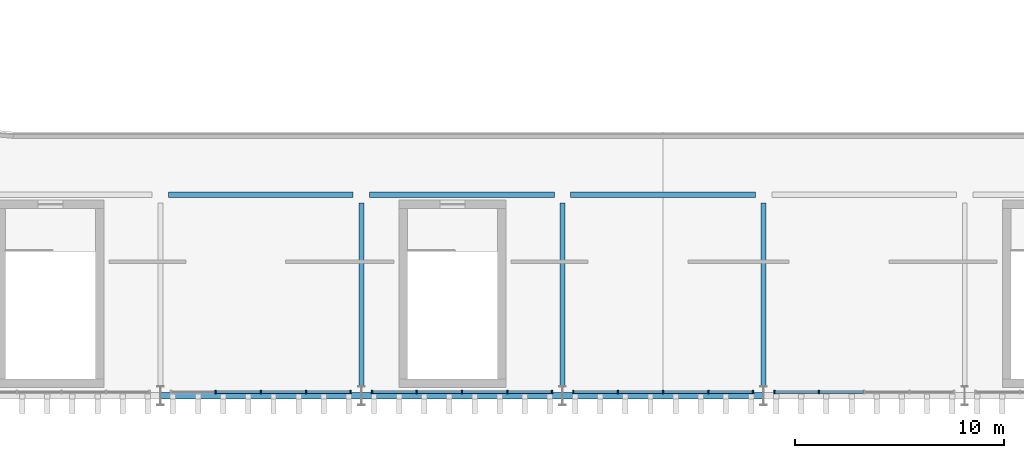
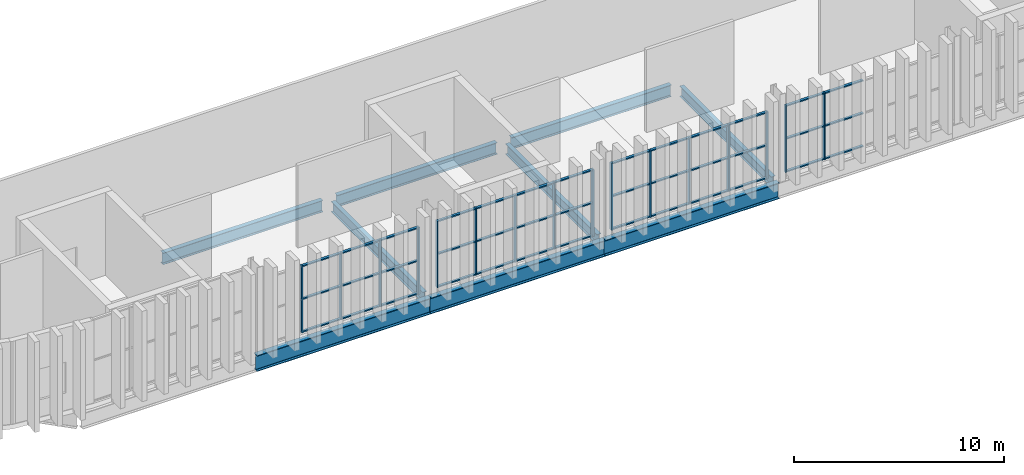
# One storey, part 11 of 45: 55 members, 9 beams, 4 elements without a shape of their own.
"""IFC4 building model written with IfcOpenShell, lengths in metres."""

import ifcopenshell
import ifcopenshell.guid

model = None  # the IFC model being written
_history = None  # IfcOwnerHistory: only IFC2X3 demands one
_inside = {}  # id of a spatial element -> (the spatial element, [elements in it])
_under = {}  # id of a project, library or spatial element -> (it, [spatial elements below it])
_declared = {}  # id of a project -> (the project, [libraries it declares])
_typed = {}  # id of a type object -> (the type object, [elements of that type])
_made_of = {}  # id of a material, layer set ... -> (it, [elements and type objects made of it])


def new_model(schema):
    """Start an empty IFC model of exactly this schema.

    Asked for "IFC4X3", IfcOpenShell would pick the latest addendum, in which some entities
    have other attributes; the version numbers below select the first issue.
    IFC2X3 requires an IfcOwnerHistory on every rooted entity: one is made here for all.
    """
    global model, _history
    if schema == "IFC4X3":
        model = ifcopenshell.file(schema_version=(4, 3, 0, 0))
    else:
        model = ifcopenshell.file(schema=schema)
    _inside.clear()
    _under.clear()
    _declared.clear()
    _typed.clear()
    _made_of.clear()
    _history = None
    if model.schema == "IFC2X3":
        org = make("IfcOrganization", Name="unknown")
        user = make(
            "IfcPersonAndOrganization",
            ThePerson=make("IfcPerson", FamilyName="unknown"),
            TheOrganization=org,
        )
        app = make(
            "IfcApplication",
            ApplicationDeveloper=org,
            Version="unknown",
            ApplicationFullName="unknown",
            ApplicationIdentifier="unknown",
        )
        _history = make(
            "IfcOwnerHistory",
            OwningUser=user,
            OwningApplication=app,
            ChangeAction="ADDED",
            CreationDate=0,
        )
    return model


def make(cls, **values):
    """One entity of the class cls with the attributes given. An attribute that is None is left unset."""
    return model.create_entity(
        cls, **{name: value for name, value in values.items() if value is not None}
    )


def rooted(cls, **values):
    """An entity with a GlobalId (a new one), such as an element, a storey or a relation."""
    return make(cls, GlobalId=ifcopenshell.guid.new(), OwnerHistory=_history, **values)


def si_unit(unit_type, name, prefix=None):
    """IfcSIUnit, for example si_unit("LENGTHUNIT", "METRE", prefix="MILLI")."""
    return make("IfcSIUnit", UnitType=unit_type, Prefix=prefix, Name=name)


def assignment(units):
    """IfcUnitAssignment: the units of a project."""
    return None if units is None else make("IfcUnitAssignment", Units=units)


def point(xyz):
    """IfcCartesianPoint."""
    return None if xyz is None else make("IfcCartesianPoint", Coordinates=xyz)


def direction(xyz):
    """IfcDirection."""
    return None if xyz is None else make("IfcDirection", DirectionRatios=xyz)


def frame(location, z_axis=None, x_axis=None):
    """IfcAxis2Placement3D, a coordinate frame: its origin and axes. An axis left out is left unset."""
    return make(
        "IfcAxis2Placement3D",
        Location=point(location),
        Axis=direction(z_axis),
        RefDirection=direction(x_axis),
    )


def frame_2d(location, x_axis=None):
    """IfcAxis2Placement2D, a coordinate frame in the plane: its origin and x axis."""
    return make(
        "IfcAxis2Placement2D", Location=point(location), RefDirection=direction(x_axis)
    )


def origin():
    """The frame at (0, 0, 0) with its axes left unset."""
    return frame((0.0, 0.0, 0.0))


def origin_2d():
    """The frame at (0, 0) in the plane with its x axis left unset."""
    return frame_2d((0.0, 0.0))


def place(relative_to, where):
    """IfcLocalPlacement: puts the frame where relative to a parent placement (None: the world)."""
    return make(
        "IfcLocalPlacement", PlacementRelTo=relative_to, RelativePlacement=where
    )


def context(
    kind, dimensions, precision=None, world=None, true_north=None, identifier=None
):
    """IfcGeometricRepresentationContext, for example the 3D "Model" context."""
    return make(
        "IfcGeometricRepresentationContext",
        ContextIdentifier=identifier,
        ContextType=kind,
        CoordinateSpaceDimension=dimensions,
        Precision=precision,
        WorldCoordinateSystem=world,
        TrueNorth=true_north,
    )


def subcontext(parent, identifier, kind, view, scale=None):
    """IfcGeometricRepresentationSubContext, for example "Body" below "Model"."""
    return make(
        "IfcGeometricRepresentationSubContext",
        ContextIdentifier=identifier,
        ContextType=kind,
        ParentContext=parent,
        TargetScale=scale,
        TargetView=view,
    )


def project(units=None, contexts=None):
    """IfcProject with its units and contexts."""
    return rooted(
        "IfcProject",
        Name="project",
        RepresentationContexts=contexts,
        UnitsInContext=assignment(units),
    )


def spatial(cls, under=None, at=None, **own):
    """A site, building, storey or space (cls), placed at a placement, below another one or the project."""
    s = rooted(cls, ObjectPlacement=at, **own)
    if under is not None:
        _under.setdefault(under.id(), (under, []))[1].append(s)
    return s


def profile(cls, at=None, kind="AREA", **sizes):
    """A parametric profile (cls). Its sizes go by their IFC names, for example OverallWidth=200.0."""
    return make(cls, ProfileType=kind, Position=at, **sizes)


def rectangle(**sizes):
    """IfcRectangleProfileDef."""
    return profile("IfcRectangleProfileDef", **sizes)


def i_section(**sizes):
    """IfcIShapeProfileDef."""
    return profile("IfcIShapeProfileDef", **sizes)


def extrude(swept, where, along, depth):
    """IfcExtrudedAreaSolid: the profile swept, set in the frame where, extruded along a direction by depth."""
    return make(
        "IfcExtrudedAreaSolid",
        SweptArea=swept,
        Position=where,
        ExtrudedDirection=direction(along),
        Depth=depth,
    )


def shape(context_of_items, identifier, shape_type, items):
    """IfcShapeRepresentation: the items that make up one representation, for example the "Body"."""
    return make(
        "IfcShapeRepresentation",
        ContextOfItems=context_of_items,
        RepresentationIdentifier=identifier,
        RepresentationType=shape_type,
        Items=items,
    )


def material(Name=None, Category=None):
    """IfcMaterial."""
    return make("IfcMaterial", Name=Name, Category=Category)


def layer(
    of_material, thickness, ventilated=None, Name=None, Category=None, Priority=None
):
    """IfcMaterialLayer: one layer of a wall or slab, of a material (None: an air gap)."""
    return make(
        "IfcMaterialLayer",
        Material=of_material,
        LayerThickness=thickness,
        IsVentilated=ventilated,
        Name=Name,
        Category=Category,
        Priority=Priority,
    )


def layer_set(layers, Name=None):
    """IfcMaterialLayerSet."""
    return make("IfcMaterialLayerSet", MaterialLayers=layers, LayerSetName=Name)


def material_profile(
    of_material, cross_section, Name=None, Category=None, Priority=None
):
    """IfcMaterialProfile: a cross section and its material."""
    return make(
        "IfcMaterialProfile",
        Name=Name,
        Material=of_material,
        Profile=cross_section,
        Priority=Priority,
        Category=Category,
    )


def profile_set(profiles, Name=None, composite=None):
    """IfcMaterialProfileSet."""
    return make(
        "IfcMaterialProfileSet",
        Name=Name,
        MaterialProfiles=profiles,
        CompositeProfile=composite,
    )


def made_of(thing, what):
    """Note that an element or type object is made of a material, layer set ...; save() writes the relation."""
    if what is not None:
        _made_of.setdefault(what.id(), (what, []))[1].append(thing)
    return thing


def type_object(cls, material=None, **own):
    """A type object (cls), such as IfcWallType, which elements share."""
    return made_of(rooted(cls, **own), material)


def element(
    cls,
    number,
    at=None,
    inside=None,
    cuts=None,
    type_object=None,
    material=None,
    context=None,
    identifier="Body",
    shape_type=None,
    held_by="IfcProductDefinitionShape",
    body=None,
    shapes=None,
    **own,
):
    """One element of the class cls, such as IfcWall. Its Tag is "e" and its number.

    at: its placement. inside: the storey or other place that contains it. cuts: it is an
    opening in that element (IfcRelVoidsElement). A single representation is given by context,
    identifier, shape_type and body (its items); several are given by shapes. held_by: the class
    of the entity that holds the representations. save() writes the other relations.
    """
    e = rooted(cls, Tag="e%d" % number, ObjectPlacement=at, **own)
    if body is not None:
        shapes = [shape(context, identifier, shape_type, body)]
    if shapes is not None:
        e.Representation = make(held_by, Representations=shapes)
    if inside is not None:
        _inside.setdefault(inside.id(), (inside, []))[1].append(e)
    if cuts is not None:
        rooted(
            "IfcRelVoidsElement", RelatingBuildingElement=cuts, RelatedOpeningElement=e
        )
    if type_object is not None:
        _typed.setdefault(type_object.id(), (type_object, []))[1].append(e)
    return made_of(e, material)


def aggregate(whole, parts):
    """IfcRelAggregates: a whole, such as a stair, and the parts it consists of."""
    return rooted("IfcRelAggregates", RelatingObject=whole, RelatedObjects=parts)


def save(model, path):
    """Write the relations noted so far, then the file.

    IfcRelAggregates (storeys below a building ...), IfcRelContainedInSpatialStructure (elements
    in a storey), IfcRelDefinesByType, IfcRelAssociatesMaterial and IfcRelDeclares: one each for
    every whole, place, type object, material and project.
    """
    for whole, parts in _under.values():
        aggregate(whole, parts)
    for where, things in _inside.values():
        rooted(
            "IfcRelContainedInSpatialStructure",
            RelatedElements=things,
            RelatingStructure=where,
        )
    for kind, things in _typed.values():
        rooted("IfcRelDefinesByType", RelatedObjects=things, RelatingType=kind)
    for what, things in _made_of.values():
        rooted("IfcRelAssociatesMaterial", RelatedObjects=things, RelatingMaterial=what)
    for by, libraries in _declared.values():
        rooted("IfcRelDeclares", RelatingContext=by, RelatedDefinitions=libraries)
    model.write(path)


model = new_model("IFC4")

# Units and contexts
model_context = context("Model", 3, precision=1e-05, world=origin(), true_north=direction((0.0, 1.0)))
body_context = subcontext(model_context, "Body", "Model", "MODEL_VIEW")
ifc_project = project(units=[si_unit("LENGTHUNIT", "METRE"), si_unit("AREAUNIT", "SQUARE_METRE"), si_unit("VOLUMEUNIT", "CUBIC_METRE"), si_unit("PLANEANGLEUNIT", "RADIAN"), si_unit("MASSUNIT", "GRAM", prefix="KILO")], contexts=[model_context])

# Site, building, storey
site_placement = place(None, origin())
site = spatial("IfcSite", under=ifc_project, at=site_placement, CompositionType="ELEMENT")
building_placement = place(site_placement, origin())
building = spatial("IfcBuilding", under=site, at=building_placement, Name="Caelomonte Colonnade Arena", CompositionType="ELEMENT")
storey_placement = place(building_placement, frame((0.0, 0.0, 23.10009765625)))
storey = spatial("IfcBuildingStorey", under=building, at=storey_placement, Name="L05", CompositionType="ELEMENT", Elevation=23.10009765625)

# Curtain wall, members
ifc_material_1 = material(Name="Bronze anodised aluminium and low-E glazing", Category="aluminium")
ifc_layer = layer(ifc_material_1, 0.179931640625)
ifc_layer_set = layer_set([ifc_layer], Name="Bronze anodised aluminium and low-E glazing")
curtain_wall_type = type_object("IfcCurtainWallType", Name="ENV-CW-CW-L05-96-39", PredefinedType="USERDEFINED", material=ifc_layer_set)
curtain_wall_1_placement = place(storey_placement, origin())
curtain_wall_1 = element("IfcCurtainWall", 1, at=curtain_wall_1_placement, inside=storey, type_object=curtain_wall_type, Name="L05 unitized curtain wall CW-L05-0912-0194", ObjectType="UNITIZED CURTAIN WALL", PredefinedType="USERDEFINED")
ifc_material_2 = material(Name="Bronze anodised aluminium AA6063-T6", Category="aluminium")
ifc_material_profile_1 = material_profile(ifc_material_2, rectangle(XDim=0.070068359375, YDim=0.179931640625, at=origin_2d()), Name="CWM-70X180")
ifc_profile_set_1 = profile_set([ifc_material_profile_1], Name="Bronze anodised aluminium AA6063-T6")
member_type_1 = type_object("IfcMemberType", Name="ENV-CW-MULL1", PredefinedType="MULLION", material=ifc_profile_set_1)
member_1_placement = place(storey_placement, frame((89.03857421875, 19.3798828125, 0.0), z_axis=(0.0, 0.0, 1.0), x_axis=(1.0, 0.0, 0.0)))
member_1 = element("IfcMember", 2, at=member_1_placement, type_object=member_type_1, Name="CW-L05-96-39 mullion 2", PredefinedType="MULLION", context=body_context, shape_type="SweptSolid", body=[
    extrude(rectangle(XDim=0.070068359375, YDim=0.179931640625, at=origin_2d()), origin(), (0.0, 0.0, 1.0), 3.892822265625),
])
member_2_placement = place(storey_placement, frame((91.199951171875, 19.3798828125, 0.0), z_axis=(0.0, 0.0, 1.0), x_axis=(1.0, 0.0, 0.0)))
member_2 = element("IfcMember", 3, at=member_2_placement, type_object=member_type_1, Name="CW-L05-96-39 mullion 3", PredefinedType="MULLION", context=body_context, shape_type="SweptSolid", body=[
    extrude(rectangle(XDim=0.070068359375, YDim=0.179931640625, at=origin_2d()), origin(), (0.0, 0.0, 1.0), 3.892822265625),
])
member_3_placement = place(storey_placement, frame((93.361328125, 19.3798828125, 0.0), z_axis=(0.0, 0.0, 1.0), x_axis=(1.0, 0.0, 0.0)))
member_3 = element("IfcMember", 4, at=member_3_placement, type_object=member_type_1, Name="CW-L05-96-39 mullion 4", PredefinedType="MULLION", context=body_context, shape_type="SweptSolid", body=[
    extrude(rectangle(XDim=0.070068359375, YDim=0.179931640625, at=origin_2d()), origin(), (0.0, 0.0, 1.0), 3.892822265625),
])
member_4_placement = place(storey_placement, frame((95.48779296875, 19.3798828125, 0.0), z_axis=(0.0, 0.0, 1.0), x_axis=(1.0, 0.0, 0.0)))
member_4 = element("IfcMember", 5, at=member_4_placement, type_object=member_type_1, Name="CW-L05-96-39 mullion 5", PredefinedType="MULLION", context=body_context, shape_type="SweptSolid", body=[
    extrude(rectangle(XDim=0.070068359375, YDim=0.179931640625, at=origin_2d()), origin(), (0.0, 0.0, 1.0), 3.892822265625),
])

curtain_wall_2_placement = place(storey_placement, origin())
curtain_wall_2 = element("IfcCurtainWall", 6, at=curtain_wall_2_placement, inside=storey, type_object=curtain_wall_type, Name="L05 unitized curtain wall CW-L05-1008-0194", ObjectType="UNITIZED CURTAIN WALL", PredefinedType="USERDEFINED")
member_5_placement = place(storey_placement, frame((96.51220703125, 19.3798828125, 0.0), z_axis=(0.0, 0.0, 1.0), x_axis=(1.0, 0.0, 0.0)))
member_5 = element("IfcMember", 7, at=member_5_placement, type_object=member_type_1, Name="CW-L05-96-39 mullion 1", PredefinedType="MULLION", context=body_context, shape_type="SweptSolid", body=[
    extrude(rectangle(XDim=0.070068359375, YDim=0.179931640625, at=origin_2d()), origin(), (0.0, 0.0, 1.0), 3.892822265625),
])
member_6_placement = place(storey_placement, frame((98.638671875, 19.3798828125, 0.0), z_axis=(0.0, 0.0, 1.0), x_axis=(1.0, 0.0, 0.0)))
member_6 = element("IfcMember", 8, at=member_6_placement, type_object=member_type_1, Name="CW-L05-96-39 mullion 2", PredefinedType="MULLION", context=body_context, shape_type="SweptSolid", body=[
    extrude(rectangle(XDim=0.070068359375, YDim=0.179931640625, at=origin_2d()), origin(), (0.0, 0.0, 1.0), 3.892822265625),
])
member_7_placement = place(storey_placement, frame((100.800048828125, 19.3798828125, 0.0), z_axis=(0.0, 0.0, 1.0), x_axis=(1.0, 0.0, 0.0)))
member_7 = element("IfcMember", 9, at=member_7_placement, type_object=member_type_1, Name="CW-L05-96-39 mullion 3", PredefinedType="MULLION", context=body_context, shape_type="SweptSolid", body=[
    extrude(rectangle(XDim=0.070068359375, YDim=0.179931640625, at=origin_2d()), origin(), (0.0, 0.0, 1.0), 3.892822265625),
])
member_8_placement = place(storey_placement, frame((102.96142578125, 19.3798828125, 0.0), z_axis=(0.0, 0.0, 1.0), x_axis=(1.0, 0.0, 0.0)))
member_8 = element("IfcMember", 10, at=member_8_placement, type_object=member_type_1, Name="CW-L05-96-39 mullion 4", PredefinedType="MULLION", context=body_context, shape_type="SweptSolid", body=[
    extrude(rectangle(XDim=0.070068359375, YDim=0.179931640625, at=origin_2d()), origin(), (0.0, 0.0, 1.0), 3.892822265625),
])
member_9_placement = place(storey_placement, frame((105.087890625, 19.3798828125, 0.0), z_axis=(0.0, 0.0, 1.0), x_axis=(1.0, 0.0, 0.0)))
member_9 = element("IfcMember", 11, at=member_9_placement, type_object=member_type_1, Name="CW-L05-96-39 mullion 5", PredefinedType="MULLION", context=body_context, shape_type="SweptSolid", body=[
    extrude(rectangle(XDim=0.070068359375, YDim=0.179931640625, at=origin_2d()), origin(), (0.0, 0.0, 1.0), 3.892822265625),
])

curtain_wall_3_placement = place(storey_placement, origin())
curtain_wall_3 = element("IfcCurtainWall", 12, at=curtain_wall_3_placement, inside=storey, type_object=curtain_wall_type, Name="L05 unitized curtain wall CW-L05-1104-0194", ObjectType="UNITIZED CURTAIN WALL", PredefinedType="USERDEFINED")
member_10_placement = place(storey_placement, frame((106.1123046875, 19.3798828125, 0.0), z_axis=(0.0, 0.0, 1.0), x_axis=(1.0, 0.0, 0.0)))
member_10 = element("IfcMember", 13, at=member_10_placement, type_object=member_type_1, Name="CW-L05-96-39 mullion 1", PredefinedType="MULLION", context=body_context, shape_type="SweptSolid", body=[
    extrude(rectangle(XDim=0.070068359375, YDim=0.179931640625, at=origin_2d()), origin(), (0.0, 0.0, 1.0), 3.892822265625),
])
member_11_placement = place(storey_placement, frame((108.238525390625, 19.3798828125, 0.0), z_axis=(0.0, 0.0, 1.0), x_axis=(1.0, 0.0, 0.0)))
member_11 = element("IfcMember", 14, at=member_11_placement, type_object=member_type_1, Name="CW-L05-96-39 mullion 2", PredefinedType="MULLION", context=body_context, shape_type="SweptSolid", body=[
    extrude(rectangle(XDim=0.070068359375, YDim=0.179931640625, at=origin_2d()), origin(), (0.0, 0.0, 1.0), 3.892822265625),
])
member_12_placement = place(storey_placement, frame((110.39990234375, 19.3798828125, 0.0), z_axis=(0.0, 0.0, 1.0), x_axis=(1.0, 0.0, 0.0)))
member_12 = element("IfcMember", 15, at=member_12_placement, type_object=member_type_1, Name="CW-L05-96-39 mullion 3", PredefinedType="MULLION", context=body_context, shape_type="SweptSolid", body=[
    extrude(rectangle(XDim=0.070068359375, YDim=0.179931640625, at=origin_2d()), origin(), (0.0, 0.0, 1.0), 3.892822265625),
])
member_13_placement = place(storey_placement, frame((112.561279296875, 19.3798828125, 0.0), z_axis=(0.0, 0.0, 1.0), x_axis=(1.0, 0.0, 0.0)))
member_13 = element("IfcMember", 16, at=member_13_placement, type_object=member_type_1, Name="CW-L05-96-39 mullion 4", PredefinedType="MULLION", context=body_context, shape_type="SweptSolid", body=[
    extrude(rectangle(XDim=0.070068359375, YDim=0.179931640625, at=origin_2d()), origin(), (0.0, 0.0, 1.0), 3.892822265625),
])
member_14_placement = place(storey_placement, frame((114.687744140625, 19.3798828125, 0.0), z_axis=(0.0, 0.0, 1.0), x_axis=(1.0, 0.0, 0.0)))
member_14 = element("IfcMember", 17, at=member_14_placement, type_object=member_type_1, Name="CW-L05-96-39 mullion 5", PredefinedType="MULLION", context=body_context, shape_type="SweptSolid", body=[
    extrude(rectangle(XDim=0.070068359375, YDim=0.179931640625, at=origin_2d()), origin(), (0.0, 0.0, 1.0), 3.892822265625),
])

curtain_wall_4_placement = place(storey_placement, origin())
curtain_wall_4 = element("IfcCurtainWall", 18, at=curtain_wall_4_placement, inside=storey, type_object=curtain_wall_type, Name="L05 unitized curtain wall CW-L05-1200-0194", ObjectType="UNITIZED CURTAIN WALL", PredefinedType="USERDEFINED")
member_15_placement = place(storey_placement, frame((115.712158203125, 19.3798828125, 0.0), z_axis=(0.0, 0.0, 1.0), x_axis=(1.0, 0.0, 0.0)))
member_15 = element("IfcMember", 19, at=member_15_placement, type_object=member_type_1, Name="CW-L05-96-39 mullion 1", PredefinedType="MULLION", context=body_context, shape_type="SweptSolid", body=[
    extrude(rectangle(XDim=0.070068359375, YDim=0.179931640625, at=origin_2d()), origin(), (0.0, 0.0, 1.0), 3.892822265625),
])
member_16_placement = place(storey_placement, frame((117.838623046875, 19.3798828125, 0.0), z_axis=(0.0, 0.0, 1.0), x_axis=(1.0, 0.0, 0.0)))
member_16 = element("IfcMember", 20, at=member_16_placement, type_object=member_type_1, Name="CW-L05-96-39 mullion 2", PredefinedType="MULLION", context=body_context, shape_type="SweptSolid", body=[
    extrude(rectangle(XDim=0.070068359375, YDim=0.179931640625, at=origin_2d()), origin(), (0.0, 0.0, 1.0), 3.892822265625),
])

# Member
ifc_material_profile_2 = material_profile(ifc_material_2, rectangle(XDim=0.070068359375, YDim=0.139892578125, at=origin_2d()), Name="CWT-70X140")
ifc_profile_set_2 = profile_set([ifc_material_profile_2], Name="Bronze anodised aluminium AA6063-T6")
member_type_2 = type_object("IfcMemberType", Name="ENV-CW-TRAN1", PredefinedType="USERDEFINED", material=ifc_profile_set_2)
member_17_placement = place(storey_placement, frame((89.073486328125, 19.3798828125, 0.034912109375), z_axis=(1.0, 0.0, 0.0), x_axis=(0.0, 0.0, 1.0)))
member_17 = element("IfcMember", 21, at=member_17_placement, type_object=member_type_2, Name="CW-L05-96-39 transom 2.1", ObjectType="TRANSOM", PredefinedType="USERDEFINED", context=body_context, shape_type="SweptSolid", body=[
    extrude(rectangle(XDim=0.070068359375, YDim=0.139892578125, at=origin_2d()), origin(), (0.0, 0.0, 1.0), 2.091552734375),
])

member_18_placement = place(storey_placement, frame((89.073486328125, 19.3798828125, 1.9462890625), z_axis=(1.0, 0.0, 0.0), x_axis=(0.0, 0.0, 1.0)))
member_18 = element("IfcMember", 22, at=member_18_placement, type_object=member_type_2, Name="CW-L05-96-39 transom 2.2", ObjectType="TRANSOM", PredefinedType="USERDEFINED", context=body_context, shape_type="SweptSolid", body=[
    extrude(rectangle(XDim=0.070068359375, YDim=0.139892578125, at=origin_2d()), origin(), (0.0, 0.0, 1.0), 2.091552734375),
])

member_19_placement = place(storey_placement, frame((89.073486328125, 19.3798828125, 3.85791015625), z_axis=(1.0, 0.0, 0.0), x_axis=(0.0, 0.0, 1.0)))
member_19 = element("IfcMember", 23, at=member_19_placement, type_object=member_type_2, Name="CW-L05-96-39 transom 2.3", ObjectType="TRANSOM", PredefinedType="USERDEFINED", context=body_context, shape_type="SweptSolid", body=[
    extrude(rectangle(XDim=0.070068359375, YDim=0.139892578125, at=origin_2d()), origin(), (0.0, 0.0, 1.0), 2.091552734375),
])

member_20_placement = place(storey_placement, frame((91.235107421875, 19.3798828125, 0.034912109375), z_axis=(1.0, 0.0, 0.0), x_axis=(0.0, 0.0, 1.0)))
member_20 = element("IfcMember", 24, at=member_20_placement, type_object=member_type_2, Name="CW-L05-96-39 transom 3.1", ObjectType="TRANSOM", PredefinedType="USERDEFINED", context=body_context, shape_type="SweptSolid", body=[
    extrude(rectangle(XDim=0.070068359375, YDim=0.139892578125, at=origin_2d()), origin(), (0.0, 0.0, 1.0), 2.09130859375),
])

member_21_placement = place(storey_placement, frame((91.235107421875, 19.3798828125, 1.9462890625), z_axis=(1.0, 0.0, 0.0), x_axis=(0.0, 0.0, 1.0)))
member_21 = element("IfcMember", 25, at=member_21_placement, type_object=member_type_2, Name="CW-L05-96-39 transom 3.2", ObjectType="TRANSOM", PredefinedType="USERDEFINED", context=body_context, shape_type="SweptSolid", body=[
    extrude(rectangle(XDim=0.070068359375, YDim=0.139892578125, at=origin_2d()), origin(), (0.0, 0.0, 1.0), 2.09130859375),
])

member_22_placement = place(storey_placement, frame((91.235107421875, 19.3798828125, 3.85791015625), z_axis=(1.0, 0.0, 0.0), x_axis=(0.0, 0.0, 1.0)))
member_22 = element("IfcMember", 26, at=member_22_placement, type_object=member_type_2, Name="CW-L05-96-39 transom 3.3", ObjectType="TRANSOM", PredefinedType="USERDEFINED", context=body_context, shape_type="SweptSolid", body=[
    extrude(rectangle(XDim=0.070068359375, YDim=0.139892578125, at=origin_2d()), origin(), (0.0, 0.0, 1.0), 2.09130859375),
])

member_23_placement = place(storey_placement, frame((93.396484375, 19.3798828125, 0.034912109375), z_axis=(1.0, 0.0, 0.0), x_axis=(0.0, 0.0, 1.0)))
member_23 = element("IfcMember", 27, at=member_23_placement, type_object=member_type_2, Name="CW-L05-96-39 transom 4.1", ObjectType="TRANSOM", PredefinedType="USERDEFINED", context=body_context, shape_type="SweptSolid", body=[
    extrude(rectangle(XDim=0.070068359375, YDim=0.139892578125, at=origin_2d()), origin(), (0.0, 0.0, 1.0), 2.056396484375),
])

member_24_placement = place(storey_placement, frame((93.396484375, 19.3798828125, 1.9462890625), z_axis=(1.0, 0.0, 0.0), x_axis=(0.0, 0.0, 1.0)))
member_24 = element("IfcMember", 28, at=member_24_placement, type_object=member_type_2, Name="CW-L05-96-39 transom 4.2", ObjectType="TRANSOM", PredefinedType="USERDEFINED", context=body_context, shape_type="SweptSolid", body=[
    extrude(rectangle(XDim=0.070068359375, YDim=0.139892578125, at=origin_2d()), origin(), (0.0, 0.0, 1.0), 2.056396484375),
])

member_25_placement = place(storey_placement, frame((93.396484375, 19.3798828125, 3.85791015625), z_axis=(1.0, 0.0, 0.0), x_axis=(0.0, 0.0, 1.0)))
member_25 = element("IfcMember", 29, at=member_25_placement, type_object=member_type_2, Name="CW-L05-96-39 transom 4.3", ObjectType="TRANSOM", PredefinedType="USERDEFINED", context=body_context, shape_type="SweptSolid", body=[
    extrude(rectangle(XDim=0.070068359375, YDim=0.139892578125, at=origin_2d()), origin(), (0.0, 0.0, 1.0), 2.056396484375),
])

aggregate(curtain_wall_1, [member_1, member_2, member_3, member_4, member_17, member_18, member_19, member_20, member_21, member_22, member_23, member_24, member_25])

member_26_placement = place(storey_placement, frame((96.547119140625, 19.3798828125, 0.034912109375), z_axis=(1.0, 0.0, 0.0), x_axis=(0.0, 0.0, 1.0)))
member_26 = element("IfcMember", 30, at=member_26_placement, type_object=member_type_2, Name="CW-L05-96-39 transom 1.1", ObjectType="TRANSOM", PredefinedType="USERDEFINED", context=body_context, shape_type="SweptSolid", body=[
    extrude(rectangle(XDim=0.070068359375, YDim=0.139892578125, at=origin_2d()), origin(), (0.0, 0.0, 1.0), 2.056396484375),
])

member_27_placement = place(storey_placement, frame((96.547119140625, 19.3798828125, 1.9462890625), z_axis=(1.0, 0.0, 0.0), x_axis=(0.0, 0.0, 1.0)))
member_27 = element("IfcMember", 31, at=member_27_placement, type_object=member_type_2, Name="CW-L05-96-39 transom 1.2", ObjectType="TRANSOM", PredefinedType="USERDEFINED", context=body_context, shape_type="SweptSolid", body=[
    extrude(rectangle(XDim=0.070068359375, YDim=0.139892578125, at=origin_2d()), origin(), (0.0, 0.0, 1.0), 2.056396484375),
])

member_28_placement = place(storey_placement, frame((96.547119140625, 19.3798828125, 3.85791015625), z_axis=(1.0, 0.0, 0.0), x_axis=(0.0, 0.0, 1.0)))
member_28 = element("IfcMember", 32, at=member_28_placement, type_object=member_type_2, Name="CW-L05-96-39 transom 1.3", ObjectType="TRANSOM", PredefinedType="USERDEFINED", context=body_context, shape_type="SweptSolid", body=[
    extrude(rectangle(XDim=0.070068359375, YDim=0.139892578125, at=origin_2d()), origin(), (0.0, 0.0, 1.0), 2.056396484375),
])

member_29_placement = place(storey_placement, frame((98.673583984375, 19.3798828125, 0.034912109375), z_axis=(1.0, 0.0, 0.0), x_axis=(0.0, 0.0, 1.0)))
member_29 = element("IfcMember", 33, at=member_29_placement, type_object=member_type_2, Name="CW-L05-96-39 transom 2.1", ObjectType="TRANSOM", PredefinedType="USERDEFINED", context=body_context, shape_type="SweptSolid", body=[
    extrude(rectangle(XDim=0.070068359375, YDim=0.139892578125, at=origin_2d()), origin(), (0.0, 0.0, 1.0), 2.09130859375),
])

member_30_placement = place(storey_placement, frame((98.673583984375, 19.3798828125, 1.9462890625), z_axis=(1.0, 0.0, 0.0), x_axis=(0.0, 0.0, 1.0)))
member_30 = element("IfcMember", 34, at=member_30_placement, type_object=member_type_2, Name="CW-L05-96-39 transom 2.2", ObjectType="TRANSOM", PredefinedType="USERDEFINED", context=body_context, shape_type="SweptSolid", body=[
    extrude(rectangle(XDim=0.070068359375, YDim=0.139892578125, at=origin_2d()), origin(), (0.0, 0.0, 1.0), 2.09130859375),
])

member_31_placement = place(storey_placement, frame((98.673583984375, 19.3798828125, 3.85791015625), z_axis=(1.0, 0.0, 0.0), x_axis=(0.0, 0.0, 1.0)))
member_31 = element("IfcMember", 35, at=member_31_placement, type_object=member_type_2, Name="CW-L05-96-39 transom 2.3", ObjectType="TRANSOM", PredefinedType="USERDEFINED", context=body_context, shape_type="SweptSolid", body=[
    extrude(rectangle(XDim=0.070068359375, YDim=0.139892578125, at=origin_2d()), origin(), (0.0, 0.0, 1.0), 2.09130859375),
])

member_32_placement = place(storey_placement, frame((100.8349609375, 19.3798828125, 0.034912109375), z_axis=(1.0, 0.0, 0.0), x_axis=(0.0, 0.0, 1.0)))
member_32 = element("IfcMember", 36, at=member_32_placement, type_object=member_type_2, Name="CW-L05-96-39 transom 3.1", ObjectType="TRANSOM", PredefinedType="USERDEFINED", context=body_context, shape_type="SweptSolid", body=[
    extrude(rectangle(XDim=0.070068359375, YDim=0.139892578125, at=origin_2d()), origin(), (0.0, 0.0, 1.0), 2.091552734375),
])

member_33_placement = place(storey_placement, frame((100.8349609375, 19.3798828125, 1.9462890625), z_axis=(1.0, 0.0, 0.0), x_axis=(0.0, 0.0, 1.0)))
member_33 = element("IfcMember", 37, at=member_33_placement, type_object=member_type_2, Name="CW-L05-96-39 transom 3.2", ObjectType="TRANSOM", PredefinedType="USERDEFINED", context=body_context, shape_type="SweptSolid", body=[
    extrude(rectangle(XDim=0.070068359375, YDim=0.139892578125, at=origin_2d()), origin(), (0.0, 0.0, 1.0), 2.091552734375),
])

member_34_placement = place(storey_placement, frame((100.8349609375, 19.3798828125, 3.85791015625), z_axis=(1.0, 0.0, 0.0), x_axis=(0.0, 0.0, 1.0)))
member_34 = element("IfcMember", 38, at=member_34_placement, type_object=member_type_2, Name="CW-L05-96-39 transom 3.3", ObjectType="TRANSOM", PredefinedType="USERDEFINED", context=body_context, shape_type="SweptSolid", body=[
    extrude(rectangle(XDim=0.070068359375, YDim=0.139892578125, at=origin_2d()), origin(), (0.0, 0.0, 1.0), 2.091552734375),
])

member_35_placement = place(storey_placement, frame((102.996337890625, 19.3798828125, 0.034912109375), z_axis=(1.0, 0.0, 0.0), x_axis=(0.0, 0.0, 1.0)))
member_35 = element("IfcMember", 39, at=member_35_placement, type_object=member_type_2, Name="CW-L05-96-39 transom 4.1", ObjectType="TRANSOM", PredefinedType="USERDEFINED", context=body_context, shape_type="SweptSolid", body=[
    extrude(rectangle(XDim=0.070068359375, YDim=0.139892578125, at=origin_2d()), origin(), (0.0, 0.0, 1.0), 2.056396484375),
])

member_36_placement = place(storey_placement, frame((102.996337890625, 19.3798828125, 1.9462890625), z_axis=(1.0, 0.0, 0.0), x_axis=(0.0, 0.0, 1.0)))
member_36 = element("IfcMember", 40, at=member_36_placement, type_object=member_type_2, Name="CW-L05-96-39 transom 4.2", ObjectType="TRANSOM", PredefinedType="USERDEFINED", context=body_context, shape_type="SweptSolid", body=[
    extrude(rectangle(XDim=0.070068359375, YDim=0.139892578125, at=origin_2d()), origin(), (0.0, 0.0, 1.0), 2.056396484375),
])

member_37_placement = place(storey_placement, frame((102.996337890625, 19.3798828125, 3.85791015625), z_axis=(1.0, 0.0, 0.0), x_axis=(0.0, 0.0, 1.0)))
member_37 = element("IfcMember", 41, at=member_37_placement, type_object=member_type_2, Name="CW-L05-96-39 transom 4.3", ObjectType="TRANSOM", PredefinedType="USERDEFINED", context=body_context, shape_type="SweptSolid", body=[
    extrude(rectangle(XDim=0.070068359375, YDim=0.139892578125, at=origin_2d()), origin(), (0.0, 0.0, 1.0), 2.056396484375),
])

aggregate(curtain_wall_2, [member_5, member_6, member_7, member_8, member_9, member_26, member_27, member_28, member_29, member_30, member_31, member_32, member_33, member_34, member_35, member_36, member_37])

member_38_placement = place(storey_placement, frame((106.147216796875, 19.3798828125, 0.034912109375), z_axis=(1.0, 0.0, 0.0), x_axis=(0.0, 0.0, 1.0)))
member_38 = element("IfcMember", 42, at=member_38_placement, type_object=member_type_2, Name="CW-L05-96-39 transom 1.1", ObjectType="TRANSOM", PredefinedType="USERDEFINED", context=body_context, shape_type="SweptSolid", body=[
    extrude(rectangle(XDim=0.070068359375, YDim=0.139892578125, at=origin_2d()), origin(), (0.0, 0.0, 1.0), 2.056396484375),
])

member_39_placement = place(storey_placement, frame((106.147216796875, 19.3798828125, 1.9462890625), z_axis=(1.0, 0.0, 0.0), x_axis=(0.0, 0.0, 1.0)))
member_39 = element("IfcMember", 43, at=member_39_placement, type_object=member_type_2, Name="CW-L05-96-39 transom 1.2", ObjectType="TRANSOM", PredefinedType="USERDEFINED", context=body_context, shape_type="SweptSolid", body=[
    extrude(rectangle(XDim=0.070068359375, YDim=0.139892578125, at=origin_2d()), origin(), (0.0, 0.0, 1.0), 2.056396484375),
])

member_40_placement = place(storey_placement, frame((106.147216796875, 19.3798828125, 3.85791015625), z_axis=(1.0, 0.0, 0.0), x_axis=(0.0, 0.0, 1.0)))
member_40 = element("IfcMember", 44, at=member_40_placement, type_object=member_type_2, Name="CW-L05-96-39 transom 1.3", ObjectType="TRANSOM", PredefinedType="USERDEFINED", context=body_context, shape_type="SweptSolid", body=[
    extrude(rectangle(XDim=0.070068359375, YDim=0.139892578125, at=origin_2d()), origin(), (0.0, 0.0, 1.0), 2.056396484375),
])

member_41_placement = place(storey_placement, frame((108.273681640625, 19.3798828125, 0.034912109375), z_axis=(1.0, 0.0, 0.0), x_axis=(0.0, 0.0, 1.0)))
member_41 = element("IfcMember", 45, at=member_41_placement, type_object=member_type_2, Name="CW-L05-96-39 transom 2.1", ObjectType="TRANSOM", PredefinedType="USERDEFINED", context=body_context, shape_type="SweptSolid", body=[
    extrude(rectangle(XDim=0.070068359375, YDim=0.139892578125, at=origin_2d()), origin(), (0.0, 0.0, 1.0), 2.09130859375),
])

member_42_placement = place(storey_placement, frame((108.273681640625, 19.3798828125, 1.9462890625), z_axis=(1.0, 0.0, 0.0), x_axis=(0.0, 0.0, 1.0)))
member_42 = element("IfcMember", 46, at=member_42_placement, type_object=member_type_2, Name="CW-L05-96-39 transom 2.2", ObjectType="TRANSOM", PredefinedType="USERDEFINED", context=body_context, shape_type="SweptSolid", body=[
    extrude(rectangle(XDim=0.070068359375, YDim=0.139892578125, at=origin_2d()), origin(), (0.0, 0.0, 1.0), 2.09130859375),
])

member_43_placement = place(storey_placement, frame((108.273681640625, 19.3798828125, 3.85791015625), z_axis=(1.0, 0.0, 0.0), x_axis=(0.0, 0.0, 1.0)))
member_43 = element("IfcMember", 47, at=member_43_placement, type_object=member_type_2, Name="CW-L05-96-39 transom 2.3", ObjectType="TRANSOM", PredefinedType="USERDEFINED", context=body_context, shape_type="SweptSolid", body=[
    extrude(rectangle(XDim=0.070068359375, YDim=0.139892578125, at=origin_2d()), origin(), (0.0, 0.0, 1.0), 2.09130859375),
])

member_44_placement = place(storey_placement, frame((110.43505859375, 19.3798828125, 0.034912109375), z_axis=(1.0, 0.0, 0.0), x_axis=(0.0, 0.0, 1.0)))
member_44 = element("IfcMember", 48, at=member_44_placement, type_object=member_type_2, Name="CW-L05-96-39 transom 3.1", ObjectType="TRANSOM", PredefinedType="USERDEFINED", context=body_context, shape_type="SweptSolid", body=[
    extrude(rectangle(XDim=0.070068359375, YDim=0.139892578125, at=origin_2d()), origin(), (0.0, 0.0, 1.0), 2.09130859375),
])

member_45_placement = place(storey_placement, frame((110.43505859375, 19.3798828125, 1.9462890625), z_axis=(1.0, 0.0, 0.0), x_axis=(0.0, 0.0, 1.0)))
member_45 = element("IfcMember", 49, at=member_45_placement, type_object=member_type_2, Name="CW-L05-96-39 transom 3.2", ObjectType="TRANSOM", PredefinedType="USERDEFINED", context=body_context, shape_type="SweptSolid", body=[
    extrude(rectangle(XDim=0.070068359375, YDim=0.139892578125, at=origin_2d()), origin(), (0.0, 0.0, 1.0), 2.09130859375),
])

member_46_placement = place(storey_placement, frame((110.43505859375, 19.3798828125, 3.85791015625), z_axis=(1.0, 0.0, 0.0), x_axis=(0.0, 0.0, 1.0)))
member_46 = element("IfcMember", 50, at=member_46_placement, type_object=member_type_2, Name="CW-L05-96-39 transom 3.3", ObjectType="TRANSOM", PredefinedType="USERDEFINED", context=body_context, shape_type="SweptSolid", body=[
    extrude(rectangle(XDim=0.070068359375, YDim=0.139892578125, at=origin_2d()), origin(), (0.0, 0.0, 1.0), 2.09130859375),
])

member_47_placement = place(storey_placement, frame((112.596435546875, 19.3798828125, 0.034912109375), z_axis=(1.0, 0.0, 0.0), x_axis=(0.0, 0.0, 1.0)))
member_47 = element("IfcMember", 51, at=member_47_placement, type_object=member_type_2, Name="CW-L05-96-39 transom 4.1", ObjectType="TRANSOM", PredefinedType="USERDEFINED", context=body_context, shape_type="SweptSolid", body=[
    extrude(rectangle(XDim=0.070068359375, YDim=0.139892578125, at=origin_2d()), origin(), (0.0, 0.0, 1.0), 2.056396484375),
])

member_48_placement = place(storey_placement, frame((112.596435546875, 19.3798828125, 1.9462890625), z_axis=(1.0, 0.0, 0.0), x_axis=(0.0, 0.0, 1.0)))
member_48 = element("IfcMember", 52, at=member_48_placement, type_object=member_type_2, Name="CW-L05-96-39 transom 4.2", ObjectType="TRANSOM", PredefinedType="USERDEFINED", context=body_context, shape_type="SweptSolid", body=[
    extrude(rectangle(XDim=0.070068359375, YDim=0.139892578125, at=origin_2d()), origin(), (0.0, 0.0, 1.0), 2.056396484375),
])

member_49_placement = place(storey_placement, frame((112.596435546875, 19.3798828125, 3.85791015625), z_axis=(1.0, 0.0, 0.0), x_axis=(0.0, 0.0, 1.0)))
member_49 = element("IfcMember", 53, at=member_49_placement, type_object=member_type_2, Name="CW-L05-96-39 transom 4.3", ObjectType="TRANSOM", PredefinedType="USERDEFINED", context=body_context, shape_type="SweptSolid", body=[
    extrude(rectangle(XDim=0.070068359375, YDim=0.139892578125, at=origin_2d()), origin(), (0.0, 0.0, 1.0), 2.056396484375),
])

aggregate(curtain_wall_3, [member_10, member_11, member_12, member_13, member_14, member_38, member_39, member_40, member_41, member_42, member_43, member_44, member_45, member_46, member_47, member_48, member_49])

member_50_placement = place(storey_placement, frame((115.747314453125, 19.3798828125, 0.034912109375), z_axis=(1.0, 0.0, 0.0), x_axis=(0.0, 0.0, 1.0)))
member_50 = element("IfcMember", 54, at=member_50_placement, type_object=member_type_2, Name="CW-L05-96-39 transom 1.1", ObjectType="TRANSOM", PredefinedType="USERDEFINED", context=body_context, shape_type="SweptSolid", body=[
    extrude(rectangle(XDim=0.070068359375, YDim=0.139892578125, at=origin_2d()), origin(), (0.0, 0.0, 1.0), 2.056396484375),
])

member_51_placement = place(storey_placement, frame((115.747314453125, 19.3798828125, 1.9462890625), z_axis=(1.0, 0.0, 0.0), x_axis=(0.0, 0.0, 1.0)))
member_51 = element("IfcMember", 55, at=member_51_placement, type_object=member_type_2, Name="CW-L05-96-39 transom 1.2", ObjectType="TRANSOM", PredefinedType="USERDEFINED", context=body_context, shape_type="SweptSolid", body=[
    extrude(rectangle(XDim=0.070068359375, YDim=0.139892578125, at=origin_2d()), origin(), (0.0, 0.0, 1.0), 2.056396484375),
])

member_52_placement = place(storey_placement, frame((115.747314453125, 19.3798828125, 3.85791015625), z_axis=(1.0, 0.0, 0.0), x_axis=(0.0, 0.0, 1.0)))
member_52 = element("IfcMember", 56, at=member_52_placement, type_object=member_type_2, Name="CW-L05-96-39 transom 1.3", ObjectType="TRANSOM", PredefinedType="USERDEFINED", context=body_context, shape_type="SweptSolid", body=[
    extrude(rectangle(XDim=0.070068359375, YDim=0.139892578125, at=origin_2d()), origin(), (0.0, 0.0, 1.0), 2.056396484375),
])

member_53_placement = place(storey_placement, frame((117.87353515625, 19.3798828125, 0.034912109375), z_axis=(1.0, 0.0, 0.0), x_axis=(0.0, 0.0, 1.0)))
member_53 = element("IfcMember", 57, at=member_53_placement, type_object=member_type_2, Name="CW-L05-96-39 transom 2.1", ObjectType="TRANSOM", PredefinedType="USERDEFINED", context=body_context, shape_type="SweptSolid", body=[
    extrude(rectangle(XDim=0.070068359375, YDim=0.139892578125, at=origin_2d()), origin(), (0.0, 0.0, 1.0), 2.091552734375),
])

member_54_placement = place(storey_placement, frame((117.87353515625, 19.3798828125, 1.9462890625), z_axis=(1.0, 0.0, 0.0), x_axis=(0.0, 0.0, 1.0)))
member_54 = element("IfcMember", 58, at=member_54_placement, type_object=member_type_2, Name="CW-L05-96-39 transom 2.2", ObjectType="TRANSOM", PredefinedType="USERDEFINED", context=body_context, shape_type="SweptSolid", body=[
    extrude(rectangle(XDim=0.070068359375, YDim=0.139892578125, at=origin_2d()), origin(), (0.0, 0.0, 1.0), 2.091552734375),
])

member_55_placement = place(storey_placement, frame((117.87353515625, 19.3798828125, 3.85791015625), z_axis=(1.0, 0.0, 0.0), x_axis=(0.0, 0.0, 1.0)))
member_55 = element("IfcMember", 59, at=member_55_placement, type_object=member_type_2, Name="CW-L05-96-39 transom 2.3", ObjectType="TRANSOM", PredefinedType="USERDEFINED", context=body_context, shape_type="SweptSolid", body=[
    extrude(rectangle(XDim=0.070068359375, YDim=0.139892578125, at=origin_2d()), origin(), (0.0, 0.0, 1.0), 2.091552734375),
])

aggregate(curtain_wall_4, [member_15, member_16, member_50, member_51, member_52, member_53, member_54, member_55])

# Beams
ifc_material_3 = material(Name="Wide-flange steel ASTM A992 Grade 50", Category="steel")
ifc_material_profile_3 = material_profile(ifc_material_3, i_section(OverallWidth=0.307861328125, OverallDepth=0.927001953125, WebThickness=0.019287109375, FlangeThickness=0.031982421875, FilletRadius=0.020263671875, at=origin_2d()), Name="W36X194")
ifc_profile_set_3 = profile_set([ifc_material_profile_3], Name="Wide-flange steel ASTM A992 Grade 50")
beam_type_1 = type_object("IfcBeamType", Name="STR-BM-EAVES2", PredefinedType="SPANDREL", material=ifc_profile_set_3)
for number, where, z_axis, x_axis, name in (
    (60, (86.40966796875, 19.199951171875, -0.7236328125), (1.0, 0.0, 0.0), (0.0, 1.0, 0.0), "L05 girder BMX-L05-0864-0192"),
    (61, (96.009521484375, 19.199951171875, -0.7236328125), (1.0, 0.0, 0.0), (0.0, 1.0, 0.0), "L05 girder BMX-L05-0960-0192"),
    (62, (105.609619140625, 19.199951171875, -0.7236328125), (1.0, 0.0, 0.0), (0.0, 1.0, 0.0), "L05 girder BMX-L05-1056-0192"),
):
    element("IfcBeam", number, at=place(storey_placement, frame(where, z_axis=z_axis, x_axis=x_axis)), inside=storey, type_object=beam_type_1, Name=name, PredefinedType="SPANDREL", context=body_context, shape_type="SweptSolid", body=[
        extrude(i_section(OverallWidth=0.307861328125, OverallDepth=0.927001953125, WebThickness=0.019287109375, FlangeThickness=0.031982421875, FilletRadius=0.020263671875, at=origin_2d()), origin(), (0.0, 0.0, 1.0), 9.580810546875),
    ])
ifc_material_profile_4 = material_profile(ifc_material_3, i_section(OverallWidth=0.227783203125, OverallDepth=0.60205078125, WebThickness=0.010498046875, FlangeThickness=0.014892578125, FilletRadius=0.0126953125, at=origin_2d()), Name="W24X68")
ifc_profile_set_4 = profile_set([ifc_material_profile_4], Name="Wide-flange steel ASTM A992 Grade 50")
beam_type_2 = type_object("IfcBeamType", Name="STR-BM-GIRD24B", PredefinedType="SPANDREL", material=ifc_profile_set_4)
for number, where, z_axis, x_axis, name in (
    (63, (96.0, 19.655517578125, -0.56103515625), (0.0, 1.0, 0.0), (-1.0, 0.0, 0.0), "L05 girder BMY-L05-0960-0192"),
    (64, (105.60009765625, 19.655517578125, -0.56103515625), (0.0, 1.0, 0.0), (-1.0, 0.0, 0.0), "L05 girder BMY-L05-1056-0192"),
    (65, (115.199951171875, 19.655517578125, -0.56103515625), (0.0, 1.0, 0.0), (-1.0, 0.0, 0.0), "L05 girder BMY-L05-1152-0192"),
):
    element("IfcBeam", number, at=place(storey_placement, frame(where, z_axis=z_axis, x_axis=x_axis)), inside=storey, type_object=beam_type_2, Name=name, PredefinedType="SPANDREL", context=body_context, shape_type="SweptSolid", body=[
        extrude(i_section(OverallWidth=0.227783203125, OverallDepth=0.60205078125, WebThickness=0.010498046875, FlangeThickness=0.014892578125, FilletRadius=0.0126953125, at=origin_2d()), origin(), (0.0, 0.0, 1.0), 8.75244140625),
    ])
ifc_material_profile_5 = material_profile(ifc_material_3, i_section(OverallWidth=0.2529296875, OverallDepth=0.67822265625, WebThickness=0.01171875, FlangeThickness=0.016357421875, FilletRadius=0.01513671875, at=origin_2d()), Name="W27X84")
ifc_profile_set_5 = profile_set([ifc_material_profile_5], Name="Wide-flange steel ASTM A992 Grade 50")
beam_type_3 = type_object("IfcBeamType", Name="STR-BM-GIRD27B", PredefinedType="BEAM", material=ifc_profile_set_5)
for number, where, z_axis, x_axis, name in (
    (66, (86.7919921875, 28.800048828125, -0.59912109375), (1.0, 0.0, 0.0), (0.0, 1.0, 0.0), "L05 girder BMX-L05-0864-0288"),
    (67, (96.39208984375, 28.800048828125, -0.59912109375), (1.0, 0.0, 0.0), (0.0, 1.0, 0.0), "L05 girder BMX-L05-0960-0288"),
):
    element("IfcBeam", number, at=place(storey_placement, frame(where, z_axis=z_axis, x_axis=x_axis)), inside=storey, type_object=beam_type_3, Name=name, PredefinedType="BEAM", context=body_context, shape_type="SweptSolid", body=[
        extrude(i_section(OverallWidth=0.2529296875, OverallDepth=0.67822265625, WebThickness=0.01171875, FlangeThickness=0.016357421875, FilletRadius=0.01513671875, at=origin_2d()), origin(), (0.0, 0.0, 1.0), 8.81591796875),
    ])
beam_placement = place(storey_placement, frame((105.991943359375, 28.800048828125, -0.59912109375), z_axis=(1.0, 0.0, 0.0), x_axis=(0.0, 1.0, 0.0)))
element("IfcBeam", 68, at=beam_placement, inside=storey, type_object=beam_type_3, Name="L05 girder BMX-L05-1056-0288", PredefinedType="BEAM", context=body_context, shape_type="SweptSolid", body=[
    extrude(i_section(OverallWidth=0.2529296875, OverallDepth=0.67822265625, WebThickness=0.01171875, FlangeThickness=0.016357421875, FilletRadius=0.01513671875, at=origin_2d()), origin(), (0.0, 0.0, 1.0), 8.816162109375),
])

save(model, "model.ifc")
